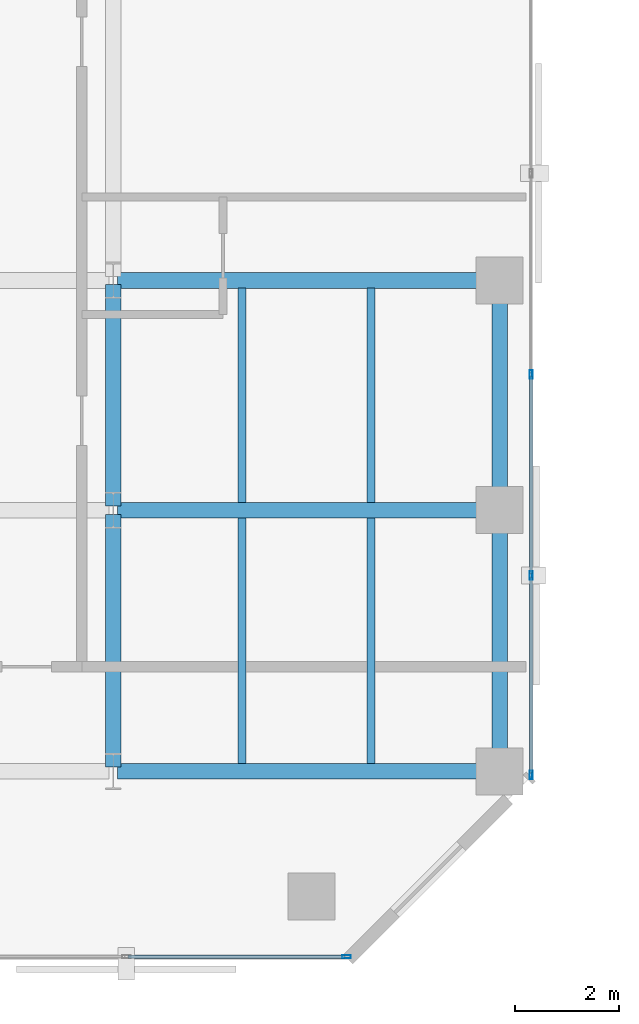
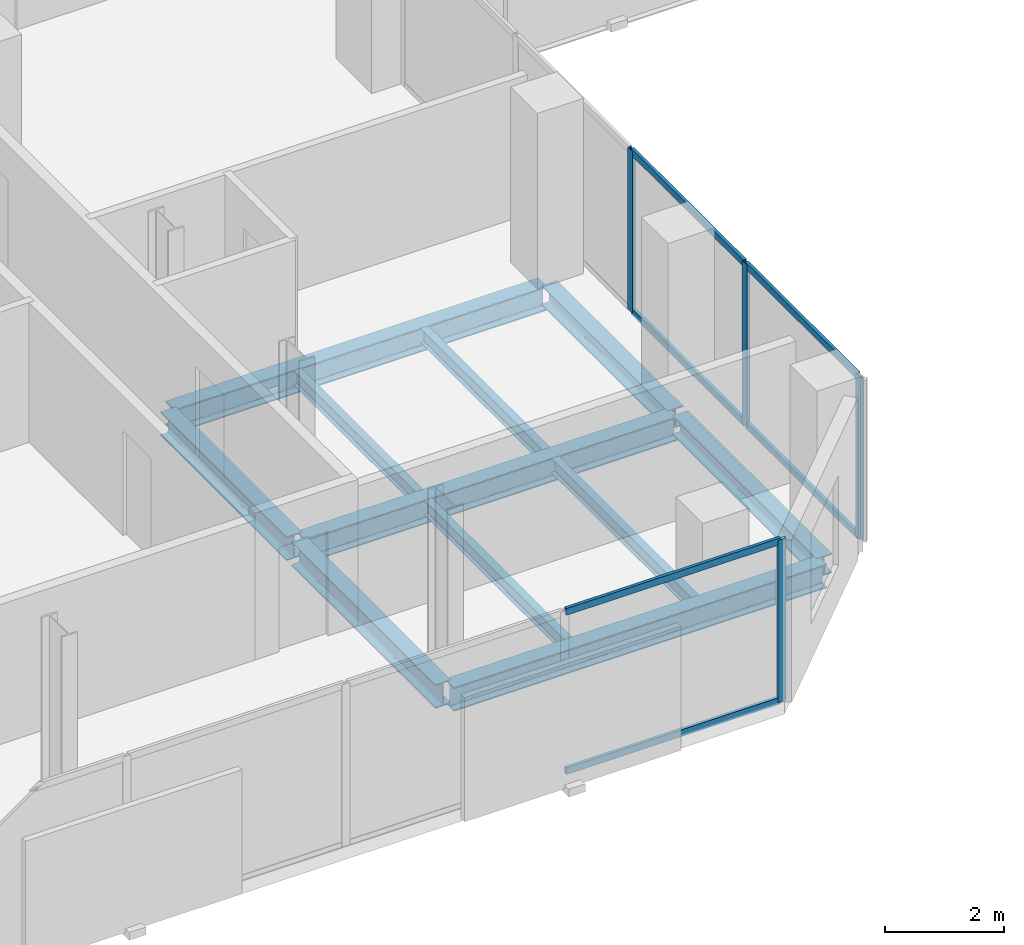
# One storey, part 7 of 33: 11 beams, 10 members, 2 elements without a shape of their own.
"""IFC4 building model written with IfcOpenShell, lengths in metres."""

from ifc_helpers import new_model, si_unit, direction, frame, origin, origin_2d, place, context, subcontext, project, spatial, hollow_rectangle, i_section, extrude, material, layer, layer_set, material_profile, profile_set, type_object, element, aggregate, save


model = new_model("IFC4")

# Units and contexts
model_context = context("Model", 3, precision=1e-05, world=origin(), true_north=direction((0.0, 1.0)))
body_context = subcontext(model_context, "Body", "Model", "MODEL_VIEW")
ifc_project = project(units=[si_unit("LENGTHUNIT", "METRE"), si_unit("AREAUNIT", "SQUARE_METRE"), si_unit("VOLUMEUNIT", "CUBIC_METRE"), si_unit("PLANEANGLEUNIT", "RADIAN"), si_unit("MASSUNIT", "GRAM", prefix="KILO")], contexts=[model_context])

# Site, building, storey
site_placement = place(None, origin())
site = spatial("IfcSite", under=ifc_project, at=site_placement, CompositionType="ELEMENT")
building_placement = place(site_placement, origin())
building = spatial("IfcBuilding", under=site, at=building_placement, Name="Catumbela Crestline Tower", CompositionType="ELEMENT")
storey_placement = place(building_placement, frame((0.0, 0.0, 100.8)))
storey = spatial("IfcBuildingStorey", under=building, at=storey_placement, Name="L25", CompositionType="ELEMENT", Elevation=100.8)

# Beams
ifc_material_1 = material(Name="Structural steel S355J2", Category="steel")
ifc_material_profile_1 = material_profile(ifc_material_1, i_section(OverallWidth=0.3, OverallDepth=0.49, WebThickness=0.012, FlangeThickness=0.023, FilletRadius=0.027, at=origin_2d()), Name="HEA 500")
ifc_profile_set_1 = profile_set([ifc_material_profile_1], Name="Structural steel S355J2")
beam_type_1 = type_object("IfcBeamType", Name="BG-HEA500", PredefinedType="BEAM", material=ifc_profile_set_1)
for number, where, z_axis, x_axis, name in (
    (1, (16.08, 8.6, -0.505), (1.0, 0.0, 0.0), (0.0, 1.0, 0.0), "L25 Beam BM-L25-WEW45"),
    (2, (16.08, 13.6, -0.505), (1.0, 0.0, 0.0), (0.0, 1.0, 0.0), "L25 Beam BM-L25-WEW48"),
    (3, (16.08, 18.0, -0.505), (1.0, 0.0, 0.0), (0.0, 1.0, 0.0), "L25 Beam BM-L25-WEW51"),
):
    element("IfcBeam", number, at=place(storey_placement, frame(where, z_axis=z_axis, x_axis=x_axis)), inside=storey, type_object=beam_type_1, Name=name, PredefinedType="BEAM", context=body_context, shape_type="SweptSolid", body=[
        extrude(i_section(OverallWidth=0.3, OverallDepth=0.49, WebThickness=0.012, FlangeThickness=0.023, FilletRadius=0.027, at=origin_2d()), origin(), (0.0, 0.0, 1.0), 7.24),
    ])
beam_1_placement = place(storey_placement, frame((16.0, 8.68, -0.505), z_axis=(0.0, 1.0, 0.0), x_axis=(-1.0, 0.0, 0.0)))
element("IfcBeam", 4, at=beam_1_placement, inside=storey, type_object=beam_type_1, Name="L25 Beam BM-L25-WNS58", PredefinedType="BEAM", context=body_context, shape_type="SweptSolid", body=[
    extrude(i_section(OverallWidth=0.3, OverallDepth=0.49, WebThickness=0.012, FlangeThickness=0.023, FilletRadius=0.027, at=origin_2d()), origin(), (0.0, 0.0, 1.0), 4.84),
])
beam_2_placement = place(storey_placement, frame((16.0, 13.68, -0.505), z_axis=(0.0, 1.0, 0.0), x_axis=(-1.0, 0.0, 0.0)))
element("IfcBeam", 5, at=beam_2_placement, inside=storey, type_object=beam_type_1, Name="L25 Beam BM-L25-WNS59", PredefinedType="BEAM", context=body_context, shape_type="SweptSolid", body=[
    extrude(i_section(OverallWidth=0.3, OverallDepth=0.49, WebThickness=0.012, FlangeThickness=0.023, FilletRadius=0.027, at=origin_2d()), origin(), (0.0, 0.0, 1.0), 4.24),
])
ifc_material_profile_2 = material_profile(ifc_material_1, i_section(OverallWidth=0.15, OverallDepth=0.3, WebThickness=0.0071, FlangeThickness=0.0107, FilletRadius=0.015, at=origin_2d()), Name="IPE 300")
ifc_profile_set_2 = profile_set([ifc_material_profile_2], Name="Structural steel S355J2")
beam_type_2 = type_object("IfcBeamType", Name="BJ-IPE300", PredefinedType="JOIST", material=ifc_profile_set_2)
for number, where, z_axis, x_axis, name in (
    (6, (18.467, 8.747, -0.41), (0.0, 1.0, 0.0), (-1.0, 0.0, 0.0), "L25 Joist JS-L25-WG67"),
    (7, (20.933, 8.747, -0.41), (0.0, 1.0, 0.0), (-1.0, 0.0, 0.0), "L25 Joist JS-L25-WG68"),
):
    element("IfcBeam", number, at=place(storey_placement, frame(where, z_axis=z_axis, x_axis=x_axis)), inside=storey, type_object=beam_type_2, Name=name, PredefinedType="JOIST", context=body_context, shape_type="SweptSolid", body=[
        extrude(i_section(OverallWidth=0.15, OverallDepth=0.3, WebThickness=0.0071, FlangeThickness=0.0107, FilletRadius=0.015, at=origin_2d()), origin(), (0.0, 0.0, 1.0), 4.706),
    ])
for number, where, z_axis, x_axis, name in (
    (8, (18.467, 13.747, -0.41), (0.0, 1.0, 0.0), (-1.0, 0.0, 0.0), "L25 Joist JS-L25-WG73"),
    (9, (20.933, 13.747, -0.41), (0.0, 1.0, 0.0), (-1.0, 0.0, 0.0), "L25 Joist JS-L25-WG74"),
):
    element("IfcBeam", number, at=place(storey_placement, frame(where, z_axis=z_axis, x_axis=x_axis)), inside=storey, type_object=beam_type_2, Name=name, PredefinedType="JOIST", context=body_context, shape_type="SweptSolid", body=[
        extrude(i_section(OverallWidth=0.15, OverallDepth=0.3, WebThickness=0.0071, FlangeThickness=0.0107, FilletRadius=0.015, at=origin_2d()), origin(), (0.0, 0.0, 1.0), 4.106),
    ])

# Curtain wall, member
ifc_material_2 = material(Name="Aluminium alloy AW-6060-T66", Category="aluminium")
ifc_layer = layer(ifc_material_2, 0.18, Name="Aluminium alloy AW-6060-T66")
ifc_layer_set = layer_set([ifc_layer], Name="Aluminium alloy AW-6060-T66")
curtain_wall_type = type_object("IfcCurtainWallType", Name="CWU-Z2", PredefinedType="USERDEFINED", material=ifc_layer_set)
curtain_wall_1_placement = place(storey_placement, origin())
curtain_wall_1 = element("IfcCurtainWall", 10, at=curtain_wall_1_placement, inside=storey, type_object=curtain_wall_type, Name="L25 Unitised Curtain Wall CW-L25-E0S1", ObjectType="UNITISED", PredefinedType="USERDEFINED")
ifc_material_profile_3 = material_profile(ifc_material_2, hollow_rectangle(XDim=0.06, YDim=0.16, WallThickness=0.004, at=origin_2d()), Name="ALU 160x60x4")
ifc_profile_set_3 = profile_set([ifc_material_profile_3], Name="Aluminium alloy AW-6060-T66")
member_type_1 = type_object("IfcMemberType", Name="MUL-160X60", PredefinedType="MULLION", material=ifc_profile_set_3)
member_1_placement = place(storey_placement, frame((20.4675, 5.05, 0.0), z_axis=(0.0, 0.0, 1.0), x_axis=(0.0, 1.0, 0.0)))
member_1 = element("IfcMember", 11, at=member_1_placement, type_object=member_type_1, Name="CWU-Z2 mullion 5", PredefinedType="MULLION", context=body_context, shape_type="SweptSolid", body=[
    extrude(hollow_rectangle(XDim=0.06, YDim=0.16, WallThickness=0.004, at=origin_2d()), origin(), (0.0, 0.0, 1.0), 3.33),
])

# Curtain wall, members
curtain_wall_2_placement = place(storey_placement, origin())
curtain_wall_2 = element("IfcCurtainWall", 12, at=curtain_wall_2_placement, inside=storey, type_object=curtain_wall_type, Name="L25 Unitised Curtain Wall CW-L25-E2S1", ObjectType="UNITISED", PredefinedType="USERDEFINED")
member_2_placement = place(storey_placement, frame((24.0, 8.5325, 0.0), z_axis=(0.0, 0.0, 1.0), x_axis=(-1.0, 0.0, 0.0)))
member_2 = element("IfcMember", 13, at=member_2_placement, type_object=member_type_1, Name="CWU-Z2 mullion 1", PredefinedType="MULLION", context=body_context, shape_type="SweptSolid", body=[
    extrude(hollow_rectangle(XDim=0.06, YDim=0.16, WallThickness=0.004, at=origin_2d()), origin(), (0.0, 0.0, 1.0), 3.33),
])
member_3_placement = place(storey_placement, frame((24.0, 12.35, 0.0), z_axis=(0.0, 0.0, 1.0), x_axis=(-1.0, 0.0, 0.0)))
member_3 = element("IfcMember", 14, at=member_3_placement, type_object=member_type_1, Name="CWU-Z2 mullion 2", PredefinedType="MULLION", context=body_context, shape_type="SweptSolid", body=[
    extrude(hollow_rectangle(XDim=0.06, YDim=0.16, WallThickness=0.004, at=origin_2d()), origin(), (0.0, 0.0, 1.0), 3.33),
])
member_4_placement = place(storey_placement, frame((24.0, 16.2, 0.0), z_axis=(0.0, 0.0, 1.0), x_axis=(-1.0, 0.0, 0.0)))
member_4 = element("IfcMember", 15, at=member_4_placement, type_object=member_type_1, Name="CWU-Z2 mullion 3", PredefinedType="MULLION", context=body_context, shape_type="SweptSolid", body=[
    extrude(hollow_rectangle(XDim=0.06, YDim=0.16, WallThickness=0.004, at=origin_2d()), origin(), (0.0, 0.0, 1.0), 3.33),
])

# Beams
ifc_material_profile_4 = material_profile(ifc_material_1, i_section(OverallWidth=0.3, OverallDepth=0.4, WebThickness=0.0135, FlangeThickness=0.024, FilletRadius=0.027, at=origin_2d()), Name="HEB 400")
ifc_profile_set_4 = profile_set([ifc_material_profile_4], Name="Structural steel S355J2")
beam_type_3 = type_object("IfcBeamType", Name="BS-HEB400", PredefinedType="SPANDREL", material=ifc_profile_set_4)
beam_3_placement = place(storey_placement, frame((23.4, 8.68, -0.46), z_axis=(0.0, 1.0, 0.0), x_axis=(-1.0, 0.0, 0.0)))
element("IfcBeam", 16, at=beam_3_placement, inside=storey, type_object=beam_type_3, Name="L25 Spandrel SP-L25-WNS61", PredefinedType="SPANDREL", context=body_context, shape_type="SweptSolid", body=[
    extrude(i_section(OverallWidth=0.3, OverallDepth=0.4, WebThickness=0.0135, FlangeThickness=0.024, FilletRadius=0.027, at=origin_2d()), origin(), (0.0, 0.0, 1.0), 4.84),
])
beam_4_placement = place(storey_placement, frame((23.4, 13.68, -0.46), z_axis=(0.0, 1.0, 0.0), x_axis=(-1.0, 0.0, 0.0)))
element("IfcBeam", 17, at=beam_4_placement, inside=storey, type_object=beam_type_3, Name="L25 Spandrel SP-L25-WNS62", PredefinedType="SPANDREL", context=body_context, shape_type="SweptSolid", body=[
    extrude(i_section(OverallWidth=0.3, OverallDepth=0.4, WebThickness=0.0135, FlangeThickness=0.024, FilletRadius=0.027, at=origin_2d()), origin(), (0.0, 0.0, 1.0), 4.24),
])

# Member
ifc_material_profile_5 = material_profile(ifc_material_2, hollow_rectangle(XDim=0.06, YDim=0.14, WallThickness=0.004, at=origin_2d()), Name="ALU 140x60x4")
ifc_profile_set_5 = profile_set([ifc_material_profile_5], Name="Aluminium alloy AW-6060-T66")
member_type_2 = type_object("IfcMemberType", Name="TRN-140X60", PredefinedType="USERDEFINED", material=ifc_profile_set_5)
member_5_placement = place(storey_placement, frame((16.2825, 5.05, 0.03), z_axis=(1.0, 0.0, 0.0), x_axis=(0.0, 1.0, 0.0)))
member_5 = element("IfcMember", 18, at=member_5_placement, type_object=member_type_2, Name="CWU-Z2 transom 4.1", ObjectType="TRANSOM", PredefinedType="USERDEFINED", context=body_context, shape_type="SweptSolid", body=[
    extrude(hollow_rectangle(XDim=0.06, YDim=0.14, WallThickness=0.004, at=origin_2d()), origin(), (0.0, 0.0, 1.0), 4.1525),
])

member_6_placement = place(storey_placement, frame((16.2825, 5.05, 3.3), z_axis=(1.0, 0.0, 0.0), x_axis=(0.0, 1.0, 0.0)))
member_6 = element("IfcMember", 19, at=member_6_placement, type_object=member_type_2, Name="CWU-Z2 transom 4.2", ObjectType="TRANSOM", PredefinedType="USERDEFINED", context=body_context, shape_type="SweptSolid", body=[
    extrude(hollow_rectangle(XDim=0.06, YDim=0.14, WallThickness=0.004, at=origin_2d()), origin(), (0.0, 0.0, 1.0), 4.1525),
])

aggregate(curtain_wall_1, [member_1, member_5, member_6])

member_7_placement = place(storey_placement, frame((24.0, 8.565, 0.03), z_axis=(0.0, 1.0, 0.0), x_axis=(-1.0, 0.0, 0.0)))
member_7 = element("IfcMember", 20, at=member_7_placement, type_object=member_type_2, Name="CWU-Z2 transom 1.1", ObjectType="TRANSOM", PredefinedType="USERDEFINED", context=body_context, shape_type="SweptSolid", body=[
    extrude(hollow_rectangle(XDim=0.06, YDim=0.14, WallThickness=0.004, at=origin_2d()), origin(), (0.0, 0.0, 1.0), 3.7525),
])

member_8_placement = place(storey_placement, frame((24.0, 8.565, 3.3), z_axis=(0.0, 1.0, 0.0), x_axis=(-1.0, 0.0, 0.0)))
member_8 = element("IfcMember", 21, at=member_8_placement, type_object=member_type_2, Name="CWU-Z2 transom 1.2", ObjectType="TRANSOM", PredefinedType="USERDEFINED", context=body_context, shape_type="SweptSolid", body=[
    extrude(hollow_rectangle(XDim=0.06, YDim=0.14, WallThickness=0.004, at=origin_2d()), origin(), (0.0, 0.0, 1.0), 3.7525),
])

member_9_placement = place(storey_placement, frame((24.0, 12.3825, 0.03), z_axis=(0.0, 1.0, 0.0), x_axis=(-1.0, 0.0, 0.0)))
member_9 = element("IfcMember", 22, at=member_9_placement, type_object=member_type_2, Name="CWU-Z2 transom 2.1", ObjectType="TRANSOM", PredefinedType="USERDEFINED", context=body_context, shape_type="SweptSolid", body=[
    extrude(hollow_rectangle(XDim=0.06, YDim=0.14, WallThickness=0.004, at=origin_2d()), origin(), (0.0, 0.0, 1.0), 3.785),
])

member_10_placement = place(storey_placement, frame((24.0, 12.3825, 3.3), z_axis=(0.0, 1.0, 0.0), x_axis=(-1.0, 0.0, 0.0)))
member_10 = element("IfcMember", 23, at=member_10_placement, type_object=member_type_2, Name="CWU-Z2 transom 2.2", ObjectType="TRANSOM", PredefinedType="USERDEFINED", context=body_context, shape_type="SweptSolid", body=[
    extrude(hollow_rectangle(XDim=0.06, YDim=0.14, WallThickness=0.004, at=origin_2d()), origin(), (0.0, 0.0, 1.0), 3.785),
])

aggregate(curtain_wall_2, [member_2, member_3, member_4, member_7, member_8, member_9, member_10])

save(model, "model.ifc")
